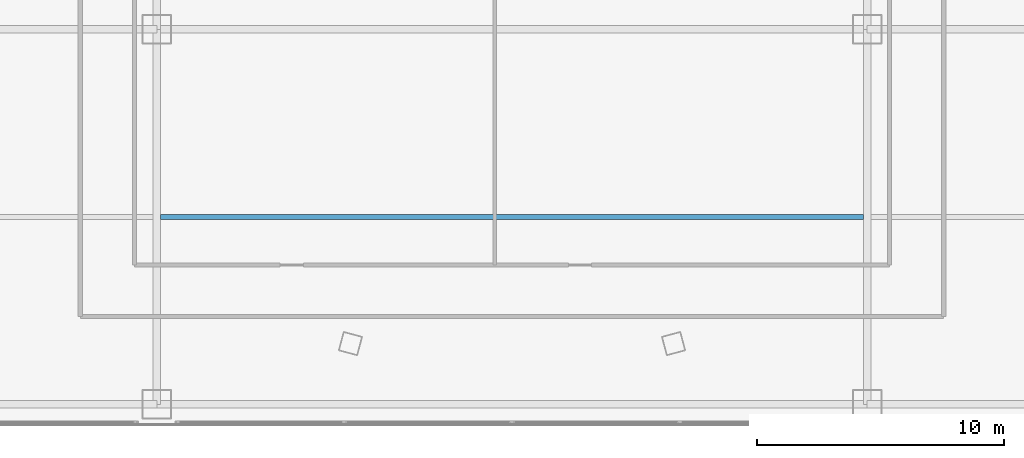
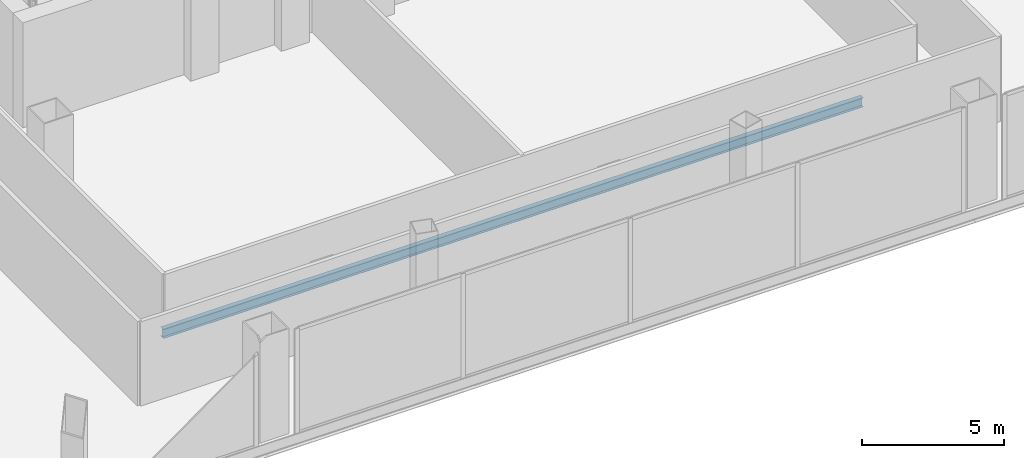
# One storey, part 10 of 40: 1 beam.
"""IFC4 building model written with IfcOpenShell, lengths in metres."""

from ifc_helpers import new_model, si_unit, direction, frame, origin, origin_2d, place, context, subcontext, project, spatial, i_section, extrude, source, transform, mapped, material, material_profile, profile_set, type_object, element, save


model = new_model("IFC4")

# Units and contexts
model_context = context("Model", 3, precision=1e-05, world=origin(), true_north=direction((0.0, 1.0)))
body_context = subcontext(model_context, "Body", "Model", "MODEL_VIEW")
ifc_project = project(units=[si_unit("LENGTHUNIT", "METRE"), si_unit("AREAUNIT", "SQUARE_METRE"), si_unit("VOLUMEUNIT", "CUBIC_METRE"), si_unit("PLANEANGLEUNIT", "RADIAN"), si_unit("MASSUNIT", "GRAM", prefix="KILO"), si_unit("THERMODYNAMICTEMPERATUREUNIT", "KELVIN"), si_unit("POWERUNIT", "WATT")], contexts=[model_context])

# Site, building, storey
site_placement = place(None, origin())
site = spatial("IfcSite", under=ifc_project, at=site_placement, CompositionType="ELEMENT")
building_placement = place(site_placement, origin())
building = spatial("IfcBuilding", under=site, at=building_placement, Name="Yunzhuo Pagoda Commons", CompositionType="ELEMENT")
storey_placement = place(building_placement, frame((0.0, 0.0, 14.39990234375)))
storey = spatial("IfcBuildingStorey", under=building, at=storey_placement, Name="L04", CompositionType="ELEMENT", Elevation=14.39990234375)

# Beam
ifc_material = material(Name="Structural steel Q355B", Category="steel")
ifc_material_profile = material_profile(ifc_material, i_section(OverallWidth=0.199951171875, OverallDepth=0.39990234375, WebThickness=0.008056640625, FlangeThickness=0.012939453125, at=origin_2d()), Name="Structural steel Q355B")
ifc_profile_set = profile_set([ifc_material_profile], Name="Structural steel Q355B")
beam_type = type_object("IfcBeamType", Name="B-JS1 Joist HN 400x200x8x13", PredefinedType="JOIST", material=ifc_profile_set)
shared_shape = source(origin(), body_context, "Body", "SweptSolid", [
    extrude(i_section(OverallWidth=0.199951171875, OverallDepth=0.39990234375, WebThickness=0.008056640625, FlangeThickness=0.012939453125, at=origin_2d()), origin(), (0.0, 0.0, 1.0), 28.490234375),
])
beam_placement = place(storey_placement, frame((33.7548828125, 14.39990234375, -0.47998046875), z_axis=(1.0, 0.0, 0.0), x_axis=(0.0, 1.0, 0.0)))
element("IfcBeam", 1, at=beam_placement, inside=storey, type_object=beam_type, Name="L04 podium composite joist 3.1", PredefinedType="JOIST", context=body_context, shape_type="MappedRepresentation", body=[
    mapped(shared_shape, transform((0.0, 0.0, 0.0), scale=1.0)),
])

save(model, "model.ifc")
